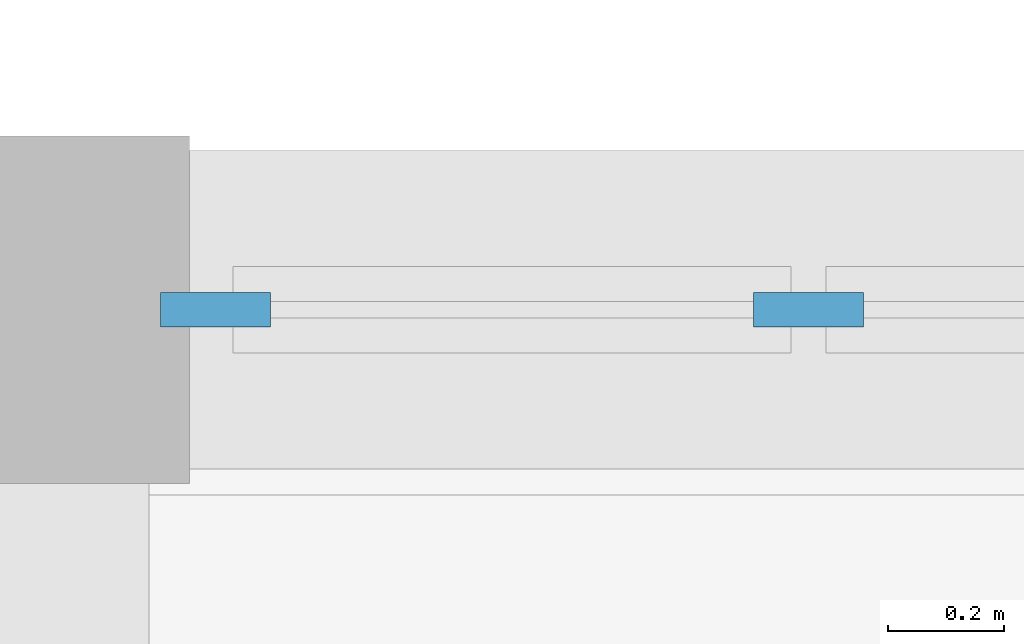
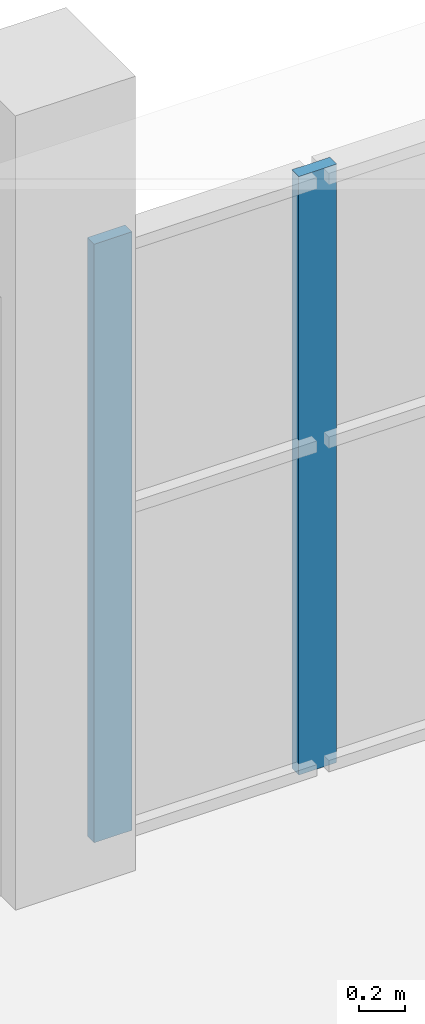
# One storey, part 17 of 85: 2 members, 1 element without a shape of its own.
"""IFC4 building model written with IfcOpenShell, lengths in metres."""

from ifc_helpers import new_model, si_unit, direction, frame, origin, origin_2d, place, context, subcontext, project, spatial, rectangle, extrude, material, layer, layer_set, material_profile, profile_set, type_object, element, aggregate, save


model = new_model("IFC4")

# Units and contexts
model_context = context("Model", 3, precision=1e-05, world=origin(), true_north=direction((0.0, 1.0)))
body_context = subcontext(model_context, "Body", "Model", "MODEL_VIEW")
ifc_project = project(units=[si_unit("LENGTHUNIT", "METRE"), si_unit("AREAUNIT", "SQUARE_METRE"), si_unit("VOLUMEUNIT", "CUBIC_METRE"), si_unit("PLANEANGLEUNIT", "RADIAN"), si_unit("MASSUNIT", "GRAM", prefix="KILO")], contexts=[model_context])

# Site, building, storey
site_placement = place(None, origin())
site = spatial("IfcSite", under=ifc_project, at=site_placement, CompositionType="ELEMENT")
building_placement = place(site_placement, origin())
building = spatial("IfcBuilding", under=site, at=building_placement, Name="Solvane Community Centre", CompositionType="ELEMENT")
storey_placement = place(building_placement, frame((0.0, 0.0, 5.39990234375)))
storey = spatial("IfcBuildingStorey", under=building, at=storey_placement, Name="L01", CompositionType="ELEMENT", Elevation=5.39990234375)

# Curtain wall, members
ifc_material = material(Name="Anodised bronze aluminium AW-6063 T6", Category="aluminium")
ifc_layer = layer(ifc_material, 0.18994140625)
ifc_layer_set = layer_set([ifc_layer], Name="Anodised bronze aluminium AW-6063 T6")
curtain_wall_type = type_object("IfcCurtainWallType", Name="Boulevard Bronze Vision Curtain Wall [74x32dm]", PredefinedType="NOTDEFINED", material=ifc_layer_set)
curtain_wall_placement = place(storey_placement, origin())
curtain_wall = element("IfcCurtainWall", 1, at=curtain_wall_placement, inside=storey, type_object=curtain_wall_type, Name="Curtain Wall CW-L01-1323_600-119", PredefinedType="NOTDEFINED")
ifc_material_profile = material_profile(ifc_material, rectangle(XDim=0.06005859375, YDim=0.18994140625, at=origin_2d()), Name="CW-M 60x190")
ifc_profile_set = profile_set([ifc_material_profile], Name="Anodised bronze aluminium AW-6063 T6")
member_type = type_object("IfcMemberType", Name="Boulevard Mullion 60x190", PredefinedType="MULLION", material=ifc_profile_set)
member_1_placement = place(storey_placement, frame((132.344970703125, 60.0, 0.0), z_axis=(0.0, 0.0, 1.0), x_axis=(0.0, 1.0, 0.0)))
member_1 = element("IfcMember", 2, at=member_1_placement, type_object=member_type, Name="CW02-74x32 mullion 1", PredefinedType="MULLION", context=body_context, shape_type="SweptSolid", body=[
    extrude(rectangle(XDim=0.06005859375, YDim=0.18994140625, at=origin_2d()), origin(), (0.0, 0.0, 1.0), 3.1650390625),
])
member_2_placement = place(storey_placement, frame((133.367919921875, 60.0, 0.0), z_axis=(0.0, 0.0, 1.0), x_axis=(0.0, 1.0, 0.0)))
member_2 = element("IfcMember", 3, at=member_2_placement, type_object=member_type, Name="CW02-74x32 mullion 2", PredefinedType="MULLION", context=body_context, shape_type="SweptSolid", body=[
    extrude(rectangle(XDim=0.06005859375, YDim=0.18994140625, at=origin_2d()), origin(), (0.0, 0.0, 1.0), 3.1650390625),
])
aggregate(curtain_wall, [member_1, member_2])

save(model, "model.ifc")
